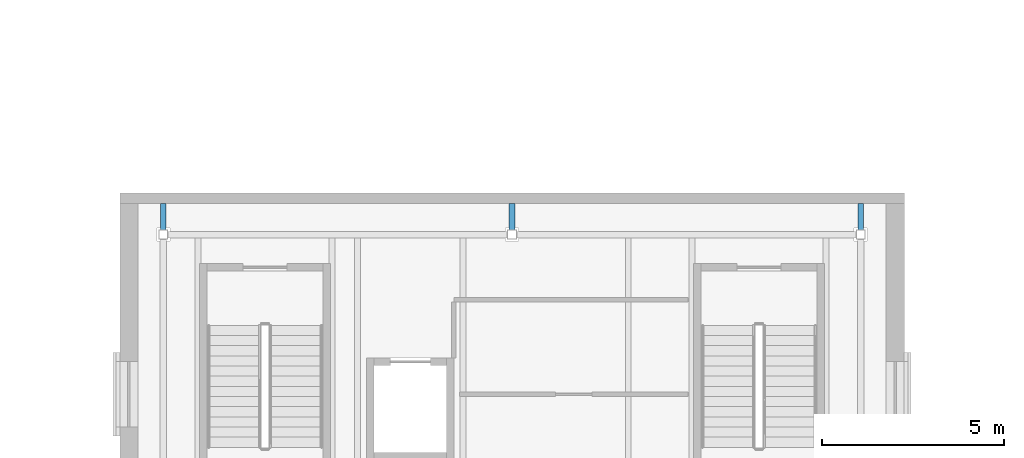
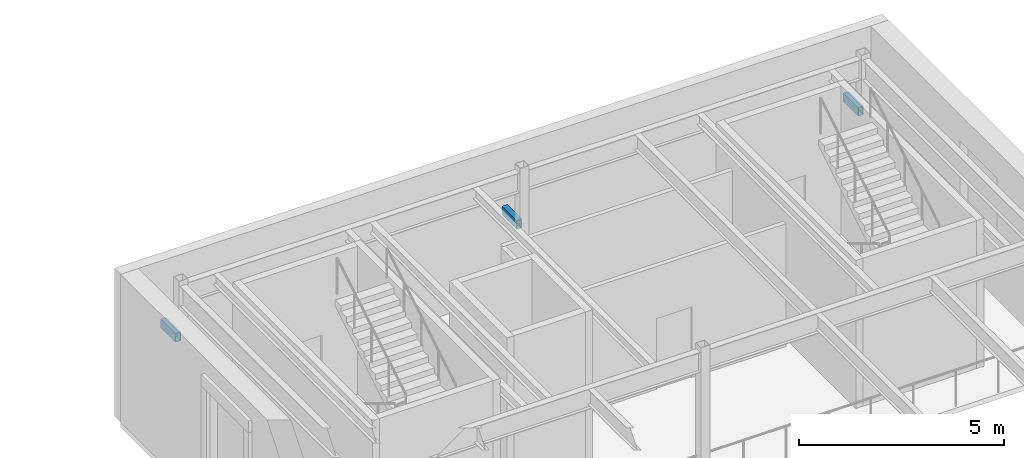
# One storey, part 71 of 169: 3 beams.
"""IFC4 building model written with IfcOpenShell, lengths in metres."""

from ifc_helpers import new_model, si_unit, direction, frame, origin, origin_2d, place, context, subcontext, project, spatial, hollow_rectangle, extrude, material, material_profile, profile_set, type_object, element, save


model = new_model("IFC4")

# Units and contexts
model_context = context("Model", 3, precision=1e-05, world=origin(), true_north=direction((0.0, 1.0)))
body_context = subcontext(model_context, "Body", "Model", "MODEL_VIEW")
ifc_project = project(units=[si_unit("LENGTHUNIT", "METRE"), si_unit("AREAUNIT", "SQUARE_METRE"), si_unit("VOLUMEUNIT", "CUBIC_METRE"), si_unit("PLANEANGLEUNIT", "RADIAN"), si_unit("MASSUNIT", "GRAM", prefix="KILO")], contexts=[model_context])

# Site, building, storey
site_placement = place(None, origin())
site = spatial("IfcSite", under=ifc_project, at=site_placement, CompositionType="ELEMENT")
building_placement = place(site_placement, origin())
building = spatial("IfcBuilding", under=site, at=building_placement, Name="Verrick Yard Athletic Hall", CompositionType="ELEMENT")
storey_placement = place(building_placement, frame((0.0, 0.0, 4.39990234375)))
storey = spatial("IfcBuildingStorey", under=building, at=storey_placement, Name="L01", CompositionType="ELEMENT", Elevation=4.39990234375)

# Beams
ifc_material = material(Name="Structural steel HSS Class C 350W (CSA G40.20/G40.21)", Category="steel")
ifc_material_profile = material_profile(ifc_material, hollow_rectangle(XDim=0.15234375, YDim=0.25390625, WallThickness=0.009521484375, at=origin_2d()), Name="HSS254x152x9.5")
ifc_profile_set = profile_set([ifc_material_profile], Name="Structural steel HSS Class C 350W (CSA G40.20/G40.21)")
beam_type = type_object("IfcBeamType", Name="HB buttress strut HSS254x152x9.5", PredefinedType="BEAM", material=ifc_profile_set)
for number, where, z_axis, x_axis, name in (
    (1, (89.199951171875, 99.72705078125, 2.550048828125), (0.0, 1.0, 0.0), (-1.0, 0.0, 0.0), "HB-BU-C1-2"),
    (2, (98.800048828125, 99.72705078125, 2.550048828125), (0.0, 1.0, 0.0), (-1.0, 0.0, 0.0), "HB-BU-C2-2"),
    (3, (108.39990234375, 99.72705078125, 2.550048828125), (0.0, 1.0, 0.0), (-1.0, 0.0, 0.0), "HB-BU-C3-2"),
):
    element("IfcBeam", number, at=place(storey_placement, frame(where, z_axis=z_axis, x_axis=x_axis)), inside=storey, type_object=beam_type, Name=name, PredefinedType="BEAM", context=body_context, shape_type="SweptSolid", body=[
        extrude(hollow_rectangle(XDim=0.15234375, YDim=0.25390625, WallThickness=0.009521484375, at=origin_2d()), origin(), (0.0, 0.0, 1.0), 0.722900390625),
    ])

save(model, "model.ifc")
